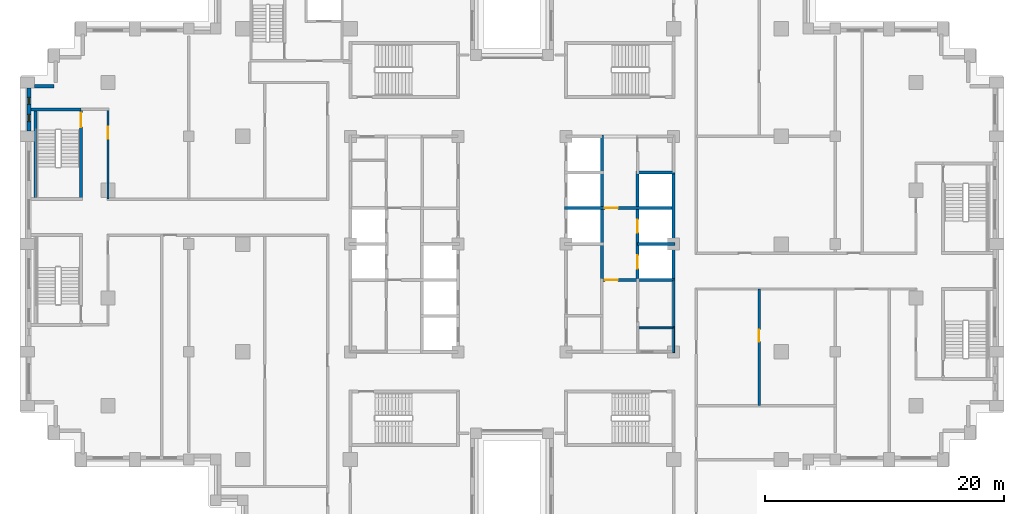
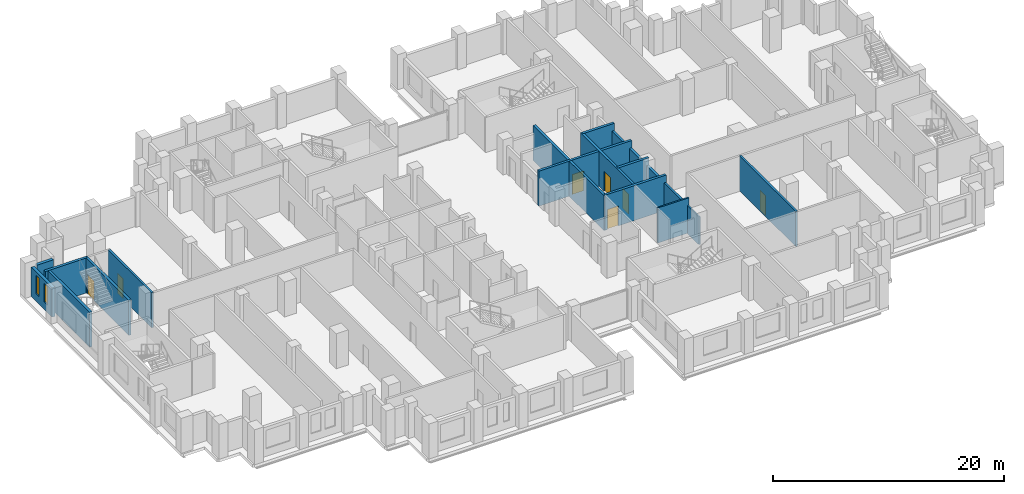
# One storey, part 9 of 16: 17 walls, 7 doors, 2 windows, 9 openings.
"""IFC4 building model written with IfcOpenShell, lengths in metres."""

from ifc_helpers import new_model, si_unit, direction, frame, frame_2d, origin, place, context, subcontext, project, spatial, rectangle, extrude, material, layer, layer_set, type_object, element, fill, save


model = new_model("IFC4")

# Units and contexts
model_context = context("Model", 3, precision=1e-05, world=origin(), true_north=direction((0.0, 1.0)))
body_context = subcontext(model_context, "Body", "Model", "MODEL_VIEW")
ifc_project = project(units=[si_unit("LENGTHUNIT", "METRE"), si_unit("AREAUNIT", "SQUARE_METRE"), si_unit("VOLUMEUNIT", "CUBIC_METRE"), si_unit("PLANEANGLEUNIT", "RADIAN"), si_unit("MASSUNIT", "GRAM", prefix="KILO")], contexts=[model_context])

# Site, building, storey
site_placement = place(None, origin())
site = spatial("IfcSite", under=ifc_project, at=site_placement, CompositionType="ELEMENT")
building_placement = place(site_placement, origin())
building = spatial("IfcBuilding", under=site, at=building_placement, Name="Corbelhall Arena Tower", CompositionType="ELEMENT")
storey_placement = place(building_placement, frame((0.0, 0.0, 104.0)))
storey = spatial("IfcBuildingStorey", under=building, at=storey_placement, Name="L18", CompositionType="ELEMENT", Elevation=104.0)

# Wall
ifc_material_1 = material(Name="Precast concrete C40/50 with granite facing", Category="masonry")
ifc_layer_1 = layer(ifc_material_1, 0.300048828125)
ifc_layer_set_1 = layer_set([ifc_layer_1], Name="EV-IW1 Infill panel 300")
wall_type_1 = type_object("IfcWallType", Name="EV-IW1 Infill panel 300", PredefinedType="SOLIDWALL", material=ifc_layer_set_1)
wall_1_placement = place(storey_placement, frame((-39.89990234375, 13.199951171875, 0.0), z_axis=(0.0, 0.0, 1.0), x_axis=(1.0, 0.0, 0.0)))
element("IfcWall", 1, at=wall_1_placement, inside=storey, type_object=wall_type_1, Name="Infill panel IW1", PredefinedType="SOLIDWALL", context=body_context, shape_type="SweptSolid", body=[
    extrude(rectangle(XDim=1.64990234375, YDim=0.300048828125, at=frame_2d((0.824951171875, 0.0))), origin(), (0.0, 0.0, 1.0), 3.10009765625),
])

# Wall, openings, windows
wall_2_placement = place(storey_placement, frame((-40.35009765625, 13.050048828125, 0.0), z_axis=(0.0, 0.0, 1.0), x_axis=(0.0, -1.0, 0.0)))
wall_2 = element("IfcWall", 2, at=wall_2_placement, inside=storey, type_object=wall_type_1, Name="Infill panel IW1", PredefinedType="SOLIDWALL", context=body_context, shape_type="SweptSolid", body=[
    extrude(rectangle(XDim=3.60009765625, YDim=0.300048828125, at=frame_2d((1.800048828125, 0.0))), origin(), (0.0, 0.0, 1.0), 3.10009765625),
])
opening_1_placement = place(wall_2_placement, frame((0.78759765625, 0.0, 0.800048828125)))
opening_1 = element("IfcOpeningElement", 3, at=opening_1_placement, cuts=wall_2, Name="Opening WN5", PredefinedType="OPENING", context=body_context, shape_type="SweptSolid", body=[
    extrude(rectangle(XDim=0.60009765625, YDim=1.949951171875, at=frame_2d((0.300048828125, 0.97509765625))), frame((0.0, 0.14990234375, 0.0), z_axis=(0.0, -1.0, 0.0), x_axis=(1.0, 0.0, 0.0)), (0.0, 0.0, 1.0), 0.300048828125),
])
opening_2_placement = place(wall_2_placement, frame((2.21240234375, 0.0, 0.800048828125)))
opening_2 = element("IfcOpeningElement", 4, at=opening_2_placement, cuts=wall_2, Name="Opening WN5", PredefinedType="OPENING", context=body_context, shape_type="SweptSolid", body=[
    extrude(rectangle(XDim=0.60009765625, YDim=1.949951171875, at=frame_2d((0.300048828125, 0.97509765625))), frame((0.0, 0.14990234375, 0.0), z_axis=(0.0, -1.0, 0.0), x_axis=(1.0, 0.0, 0.0)), (0.0, 0.0, 1.0), 0.300048828125),
])
ifc_material_2 = material(Name="Aluminium black anodised", Category="aluminium")
window_type = type_object("IfcWindowType", Name="EV-WN5 Office window 600", PartitioningType="SINGLE_PANEL", PredefinedType="WINDOW", material=ifc_material_2)
window_1_placement = place(opening_1_placement, origin())
window_1 = element("IfcWindow", 5, at=window_1_placement, inside=storey, type_object=window_type, Name="Window WN5", OverallHeight=1.949951171875, OverallWidth=0.60009765625, PartitioningType="SINGLE_PANEL", PredefinedType="WINDOW", context=body_context, shape_type="SweptSolid", body=[
    extrude(rectangle(XDim=0.60009765625, YDim=1.949951171875, at=frame_2d((0.300048828125, 0.97509765625))), frame((0.0, 0.030029296875, 0.0), z_axis=(0.0, -1.0, 0.0), x_axis=(1.0, 0.0, 0.0)), (0.0, 0.0, 1.0), 0.06005859375),
])
fill(opening_1, window_1)
window_2_placement = place(opening_2_placement, origin())
window_2 = element("IfcWindow", 6, at=window_2_placement, inside=storey, type_object=window_type, Name="Window WN5", OverallHeight=1.949951171875, OverallWidth=0.60009765625, PartitioningType="SINGLE_PANEL", PredefinedType="WINDOW", context=body_context, shape_type="SweptSolid", body=[
    extrude(rectangle(XDim=0.60009765625, YDim=1.949951171875, at=frame_2d((0.300048828125, 0.97509765625))), frame((0.0, 0.030029296875, 0.0), z_axis=(0.0, -1.0, 0.0), x_axis=(1.0, 0.0, 0.0)), (0.0, 0.0, 1.0), 0.06005859375),
])
fill(opening_2, window_2)

# Wall, opening, door
ifc_material_3 = material(Name="Gypsum board on steel stud, acoustic", Category="steel")
ifc_layer_2 = layer(ifc_material_3, 0.199951171875)
ifc_layer_set_2 = layer_set([ifc_layer_2], Name="IN-W-DM200")
wall_type_2 = type_object("IfcWallType", Name="IN-W-DM200", PredefinedType="PARTITIONING", material=ifc_layer_set_2)
wall_3_placement = place(storey_placement, frame((-33.75, 11.25, 0.0), z_axis=(0.0, 0.0, 1.0), x_axis=(0.0, -1.0, 0.0)))
wall_3 = element("IfcWall", 7, at=wall_3_placement, inside=storey, type_object=wall_type_2, Name="Partition 005", PredefinedType="PARTITIONING", context=body_context, shape_type="SweptSolid", body=[
    extrude(rectangle(XDim=7.5, YDim=0.199951171875, at=frame_2d((3.75, 0.0))), origin(), (0.0, 0.0, 1.0), 3.699951171875),
])
opening_3_placement = place(wall_3_placement, frame((1.449951171875, 0.0, 0.0)))
opening_3 = element("IfcOpeningElement", 8, at=opening_3_placement, cuts=wall_3, Name="Opening 04039", PredefinedType="OPENING", context=body_context, shape_type="SweptSolid", body=[
    extrude(rectangle(XDim=1.0, YDim=2.10009765625, at=frame_2d((0.5, 1.050048828125))), frame((0.0, 0.10009765625, 0.0), z_axis=(0.0, -1.0, 0.0), x_axis=(1.0, 0.0, 0.0)), (0.0, 0.0, 1.0), 0.199951171875),
])
ifc_material_4 = material(Name="Steel door set", Category="steel")
door_type_1 = type_object("IfcDoorType", Name="IN-D-SW100", OperationType="NOTDEFINED", PredefinedType="DOOR", material=ifc_material_4)
door_1_placement = place(opening_3_placement, origin())
door_1 = element("IfcDoor", 9, at=door_1_placement, inside=storey, type_object=door_type_1, Name="Door 039", OperationType="SINGLE_SWING_RIGHT", OverallHeight=2.10009765625, OverallWidth=1.0, PredefinedType="DOOR", context=body_context, shape_type="SweptSolid", body=[
    extrude(rectangle(XDim=1.0, YDim=2.10009765625, at=frame_2d((0.5, 1.050048828125))), frame((0.0, 0.02490234375, 0.0), z_axis=(0.0, -1.0, 0.0), x_axis=(1.0, 0.0, 0.0)), (0.0, 0.0, 1.0), 0.050048828125),
])
fill(opening_3, door_1)

wall_4_placement = place(storey_placement, frame((20.64990234375, -3.75, 0.0), z_axis=(0.0, 0.0, 1.0), x_axis=(0.0, -1.0, 0.0)))
wall_4 = element("IfcWall", 10, at=wall_4_placement, inside=storey, type_object=wall_type_2, Name="Partition 033", PredefinedType="PARTITIONING", context=body_context, shape_type="SweptSolid", body=[
    extrude(rectangle(XDim=9.75, YDim=0.199951171875, at=frame_2d((4.875, 0.0))), origin(), (0.0, 0.0, 1.0), 3.699951171875),
])
opening_4_placement = place(wall_4_placement, frame((3.39990234375, 0.0, 0.0)))
opening_4 = element("IfcOpeningElement", 11, at=opening_4_placement, cuts=wall_4, Name="Opening 04038", PredefinedType="OPENING", context=body_context, shape_type="SweptSolid", body=[
    extrude(rectangle(XDim=1.0, YDim=2.10009765625, at=frame_2d((0.5, 1.050048828125))), frame((0.0, 0.10009765625, 0.0), z_axis=(0.0, -1.0, 0.0), x_axis=(1.0, 0.0, 0.0)), (0.0, 0.0, 1.0), 0.199951171875),
])
door_2_placement = place(opening_4_placement, origin())
door_2 = element("IfcDoor", 12, at=door_2_placement, inside=storey, type_object=door_type_1, Name="Door 038", OperationType="SINGLE_SWING_LEFT", OverallHeight=2.10009765625, OverallWidth=1.0, PredefinedType="DOOR", context=body_context, shape_type="SweptSolid", body=[
    extrude(rectangle(XDim=1.0, YDim=2.10009765625, at=frame_2d((0.5, 1.050048828125))), frame((0.0, 0.02490234375, 0.0), z_axis=(0.0, -1.0, 0.0), x_axis=(1.0, 0.0, 0.0)), (0.0, 0.0, 1.0), 0.050048828125),
])
fill(opening_4, door_2)

# Wall
ifc_material_5 = material(Name="Concrete block wall", Category="concrete")
ifc_layer_3 = layer(ifc_material_5, 0.199951171875)
ifc_layer_set_3 = layer_set([ifc_layer_3], Name="IN-W-RS200 under beam 762 mm")
wall_type_3 = type_object("IfcWallType", Name="IN-W-RS200 under beam 762 mm", PredefinedType="SOLIDWALL", material=ifc_layer_set_3)
wall_5_placement = place(storey_placement, frame((13.5, -3.0, 0.0), z_axis=(0.0, 0.0, 1.0), x_axis=(0.0, -1.0, 0.0)))
element("IfcWall", 13, at=wall_5_placement, inside=storey, type_object=wall_type_3, Name="Partition 058", PredefinedType="SOLIDWALL", context=body_context, shape_type="SweptSolid", body=[
    extrude(rectangle(XDim=4.0, YDim=0.199951171875, at=frame_2d((2.0, 0.0))), origin(), (0.0, 0.0, 1.0), 2.93798828125),
])

# Wall, opening, door
ifc_material_6 = material(Name="Concrete C40/50", Category="concrete")
ifc_layer_4 = layer(ifc_material_6, 0.25)
ifc_layer_set_4 = layer_set([ifc_layer_4], Name="IN-W-SH250")
wall_type_4 = type_object("IfcWallType", Name="IN-W-SH250", PredefinedType="SOLIDWALL", material=ifc_layer_set_4)
wall_6_placement = place(storey_placement, frame((4.375, 3.0, 0.0), z_axis=(0.0, 0.0, 1.0), x_axis=(1.0, 0.0, 0.0)))
wall_6 = element("IfcWall", 14, at=wall_6_placement, inside=storey, type_object=wall_type_4, Name="Shaft wall 071", PredefinedType="SOLIDWALL", context=body_context, shape_type="SweptSolid", body=[
    extrude(rectangle(XDim=9.25, YDim=0.25, at=frame_2d((4.625, 0.0))), origin(), (0.0, 0.0, 1.0), 3.699951171875),
])
opening_5_placement = place(wall_6_placement, frame((3.375, 0.0, 0.0)))
opening_5 = element("IfcOpeningElement", 15, at=opening_5_placement, cuts=wall_6, Name="Opening 04011", PredefinedType="OPENING", context=body_context, shape_type="SweptSolid", body=[
    extrude(rectangle(XDim=1.10009765625, YDim=2.10009765625, at=frame_2d((0.550048828125, 1.050048828125))), frame((0.0, 0.125, 0.0), z_axis=(0.0, -1.0, 0.0), x_axis=(1.0, 0.0, 0.0)), (0.0, 0.0, 1.0), 0.25),
])
door_type_2 = type_object("IfcDoorType", Name="IN-D-FD110", OperationType="NOTDEFINED", PredefinedType="DOOR", material=ifc_material_4)
door_3_placement = place(opening_5_placement, origin())
door_3 = element("IfcDoor", 16, at=door_3_placement, inside=storey, type_object=door_type_2, Name="Door 011", OperationType="SINGLE_SWING_RIGHT", OverallHeight=2.10009765625, OverallWidth=1.10009765625, PredefinedType="DOOR", context=body_context, shape_type="SweptSolid", body=[
    extrude(rectangle(XDim=1.10009765625, YDim=2.10009765625, at=frame_2d((0.550048828125, 1.050048828125))), frame((0.0, 0.02490234375, 0.0), z_axis=(0.0, -1.0, 0.0), x_axis=(1.0, 0.0, 0.0)), (0.0, 0.0, 1.0), 0.050048828125),
])
fill(opening_5, door_3)

wall_7_placement = place(storey_placement, frame((7.5, -3.0, 0.0), z_axis=(0.0, 0.0, 1.0), x_axis=(1.0, 0.0, 0.0)))
wall_7 = element("IfcWall", 17, at=wall_7_placement, inside=storey, type_object=wall_type_4, Name="Shaft wall 075", PredefinedType="SOLIDWALL", context=body_context, shape_type="SweptSolid", body=[
    extrude(rectangle(XDim=6.125, YDim=0.25, at=frame_2d((3.0625, 0.0))), origin(), (0.0, 0.0, 1.0), 3.699951171875),
])
opening_6_placement = place(wall_7_placement, frame((0.25, 0.0, 0.0)))
opening_6 = element("IfcOpeningElement", 18, at=opening_6_placement, cuts=wall_7, Name="Opening 04010", PredefinedType="OPENING", context=body_context, shape_type="SweptSolid", body=[
    extrude(rectangle(XDim=1.10009765625, YDim=2.10009765625, at=frame_2d((0.550048828125, 1.050048828125))), frame((0.0, 0.125, 0.0), z_axis=(0.0, -1.0, 0.0), x_axis=(1.0, 0.0, 0.0)), (0.0, 0.0, 1.0), 0.25),
])
door_4_placement = place(opening_6_placement, origin())
door_4 = element("IfcDoor", 19, at=door_4_placement, inside=storey, type_object=door_type_2, Name="Door 010", OperationType="SINGLE_SWING_LEFT", OverallHeight=2.10009765625, OverallWidth=1.10009765625, PredefinedType="DOOR", context=body_context, shape_type="SweptSolid", body=[
    extrude(rectangle(XDim=1.10009765625, YDim=2.10009765625, at=frame_2d((0.550048828125, 1.050048828125))), frame((0.0, 0.02490234375, 0.0), z_axis=(0.0, -1.0, 0.0), x_axis=(1.0, 0.0, 0.0)), (0.0, 0.0, 1.0), 0.050048828125),
])
fill(opening_6, door_4)

# Walls
wall_8_placement = place(storey_placement, frame((7.5, 9.125, 0.0), z_axis=(0.0, 0.0, 1.0), x_axis=(0.0, -1.0, 0.0)))
element("IfcWall", 20, at=wall_8_placement, inside=storey, type_object=wall_type_4, Name="Shaft wall 076", PredefinedType="SOLIDWALL", context=body_context, shape_type="SweptSolid", body=[
    extrude(rectangle(XDim=12.25, YDim=0.25, at=frame_2d((6.125, 0.0))), origin(), (0.0, 0.0, 1.0), 3.699951171875),
])
wall_9_placement = place(storey_placement, frame((10.5, 0.0, 0.0), z_axis=(0.0, 0.0, 1.0), x_axis=(1.0, 0.0, 0.0)))
element("IfcWall", 21, at=wall_9_placement, inside=storey, type_object=wall_type_4, Name="Shaft wall 077", PredefinedType="SOLIDWALL", context=body_context, shape_type="SweptSolid", body=[
    extrude(rectangle(XDim=3.125, YDim=0.25, at=frame_2d((1.5625, 0.0))), origin(), (0.0, 0.0, 1.0), 3.699951171875),
])

# Wall, openings, doors
wall_10_placement = place(storey_placement, frame((10.5, 6.125, 0.0), z_axis=(0.0, 0.0, 1.0), x_axis=(0.0, -1.0, 0.0)))
wall_10 = element("IfcWall", 22, at=wall_10_placement, inside=storey, type_object=wall_type_4, Name="Shaft wall 078", PredefinedType="SOLIDWALL", context=body_context, shape_type="SweptSolid", body=[
    extrude(rectangle(XDim=9.25, YDim=0.25, at=frame_2d((4.625, 0.0))), origin(), (0.0, 0.0, 1.0), 3.699951171875),
])
opening_7_placement = place(wall_10_placement, frame((7.074951171875, 0.0, 0.0)))
opening_7 = element("IfcOpeningElement", 23, at=opening_7_placement, cuts=wall_10, Name="Opening LD", PredefinedType="OPENING", context=body_context, shape_type="SweptSolid", body=[
    extrude(rectangle(XDim=1.10009765625, YDim=2.10009765625, at=frame_2d((0.550048828125, 1.050048828125))), frame((0.0, 0.125, 0.0), z_axis=(0.0, -1.0, 0.0), x_axis=(1.0, 0.0, 0.0)), (0.0, 0.0, 1.0), 0.25),
])
opening_8_placement = place(wall_10_placement, frame((4.074951171875, 0.0, 0.0)))
opening_8 = element("IfcOpeningElement", 24, at=opening_8_placement, cuts=wall_10, Name="Opening LD", PredefinedType="OPENING", context=body_context, shape_type="SweptSolid", body=[
    extrude(rectangle(XDim=1.10009765625, YDim=2.10009765625, at=frame_2d((0.550048828125, 1.050048828125))), frame((0.0, 0.125, 0.0), z_axis=(0.0, -1.0, 0.0), x_axis=(1.0, 0.0, 0.0)), (0.0, 0.0, 1.0), 0.25),
])
door_type_3 = type_object("IfcDoorType", Name="IN-D-LD110", OperationType="NOTDEFINED", PredefinedType="DOOR", material=ifc_material_4)
door_5_placement = place(opening_7_placement, origin())
door_5 = element("IfcDoor", 25, at=door_5_placement, inside=storey, type_object=door_type_3, Name="Landing door E3", OperationType="SLIDING_TO_LEFT", OverallHeight=2.10009765625, OverallWidth=1.10009765625, PredefinedType="DOOR", context=body_context, shape_type="SweptSolid", body=[
    extrude(rectangle(XDim=1.10009765625, YDim=2.10009765625, at=frame_2d((0.550048828125, 1.050048828125))), frame((0.0, 0.02490234375, 0.0), z_axis=(0.0, -1.0, 0.0), x_axis=(1.0, 0.0, 0.0)), (0.0, 0.0, 1.0), 0.050048828125),
])
fill(opening_7, door_5)
door_6_placement = place(opening_8_placement, origin())
door_6 = element("IfcDoor", 26, at=door_6_placement, inside=storey, type_object=door_type_3, Name="Landing door E4", OperationType="SLIDING_TO_LEFT", OverallHeight=2.10009765625, OverallWidth=1.10009765625, PredefinedType="DOOR", context=body_context, shape_type="SweptSolid", body=[
    extrude(rectangle(XDim=1.10009765625, YDim=2.10009765625, at=frame_2d((0.550048828125, 1.050048828125))), frame((0.0, 0.02490234375, 0.0), z_axis=(0.0, -1.0, 0.0), x_axis=(1.0, 0.0, 0.0)), (0.0, 0.0, 1.0), 0.050048828125),
])
fill(opening_8, door_6)

# Walls
wall_11_placement = place(storey_placement, frame((10.5, 6.0, 0.0), z_axis=(0.0, 0.0, 1.0), x_axis=(1.0, 0.0, 0.0)))
element("IfcWall", 27, at=wall_11_placement, inside=storey, type_object=wall_type_4, Name="Shaft wall 079", PredefinedType="SOLIDWALL", context=body_context, shape_type="SweptSolid", body=[
    extrude(rectangle(XDim=3.125, YDim=0.25, at=frame_2d((1.5625, 0.0))), origin(), (0.0, 0.0, 1.0), 3.699951171875),
])
ifc_layer_5 = layer(ifc_material_6, 0.25)
ifc_layer_set_5 = layer_set([ifc_layer_5], Name="IN-W-SH250 under beam 762 mm")
wall_type_5 = type_object("IfcWallType", Name="IN-W-SH250 under beam 762 mm", PredefinedType="SOLIDWALL", material=ifc_layer_set_5)
wall_12_placement = place(storey_placement, frame((13.5, 6.0, 0.0), z_axis=(0.0, 0.0, 1.0), x_axis=(0.0, -1.0, 0.0)))
element("IfcWall", 28, at=wall_12_placement, inside=storey, type_object=wall_type_5, Name="Shaft wall 080", PredefinedType="SOLIDWALL", context=body_context, shape_type="SweptSolid", body=[
    extrude(rectangle(XDim=9.0, YDim=0.25, at=frame_2d((4.5, 0.0))), origin(), (0.0, 0.0, 1.0), 2.93798828125),
])
ifc_layer_6 = layer(ifc_material_6, 0.25)
ifc_layer_set_6 = layer_set([ifc_layer_6], Name="IN-W-ST250")
wall_type_6 = type_object("IfcWallType", Name="IN-W-ST250", PredefinedType="SOLIDWALL", material=ifc_layer_set_6)
wall_13_placement = place(storey_placement, frame((-40.199951171875, 11.25, 0.0), z_axis=(0.0, 0.0, 1.0), x_axis=(1.0, 0.0, 0.0)))
element("IfcWall", 29, at=wall_13_placement, inside=storey, type_object=wall_type_6, Name="Shaft wall 082", PredefinedType="SOLIDWALL", context=body_context, shape_type="SweptSolid", body=[
    extrude(rectangle(XDim=4.199951171875, YDim=0.25, at=frame_2d((2.10009765625, 0.0))), origin(), (0.0, 0.0, 1.0), 3.699951171875),
])

# Wall, opening, door
wall_14_placement = place(storey_placement, frame((-36.0, 11.375, 0.0), z_axis=(0.0, 0.0, 1.0), x_axis=(0.0, -1.0, 0.0)))
wall_14 = element("IfcWall", 30, at=wall_14_placement, inside=storey, type_object=wall_type_6, Name="Shaft wall 085", PredefinedType="SOLIDWALL", context=body_context, shape_type="SweptSolid", body=[
    extrude(rectangle(XDim=7.625, YDim=0.25, at=frame_2d((3.8125, 0.0))), origin(), (0.0, 0.0, 1.0), 3.699951171875),
])
opening_9_placement = place(wall_14_placement, frame((0.39990234375, 0.0, 0.0)))
opening_9 = element("IfcOpeningElement", 31, at=opening_9_placement, cuts=wall_14, Name="Opening 04019", PredefinedType="OPENING", context=body_context, shape_type="SweptSolid", body=[
    extrude(rectangle(XDim=1.199951171875, YDim=2.10009765625, at=frame_2d((0.60009765625, 1.050048828125))), frame((0.0, 0.125, 0.0), z_axis=(0.0, -1.0, 0.0), x_axis=(1.0, 0.0, 0.0)), (0.0, 0.0, 1.0), 0.25),
])
door_type_4 = type_object("IfcDoorType", Name="IN-D-ST120", OperationType="NOTDEFINED", PredefinedType="DOOR", material=ifc_material_4)
door_7_placement = place(opening_9_placement, origin())
door_7 = element("IfcDoor", 32, at=door_7_placement, inside=storey, type_object=door_type_4, Name="Door 019", OperationType="SINGLE_SWING_RIGHT", OverallHeight=2.10009765625, OverallWidth=1.199951171875, PredefinedType="DOOR", context=body_context, shape_type="SweptSolid", body=[
    extrude(rectangle(XDim=1.199951171875, YDim=2.10009765625, at=frame_2d((0.60009765625, 1.050048828125))), frame((0.0, 0.02490234375, 0.0), z_axis=(0.0, -1.0, 0.0), x_axis=(1.0, 0.0, 0.0)), (0.0, 0.0, 1.0), 0.050048828125),
])
fill(opening_9, door_7)

# Walls
wall_15_placement = place(storey_placement, frame((-39.824951171875, 3.875, 0.0), z_axis=(0.0, 0.0, 1.0), x_axis=(0.0, 1.0, 0.0)))
element("IfcWall", 33, at=wall_15_placement, inside=storey, type_object=wall_type_6, Name="Shaft wall SC1 facade side", PredefinedType="SOLIDWALL", context=body_context, shape_type="SweptSolid", body=[
    extrude(rectangle(XDim=7.25, YDim=0.25, at=frame_2d((3.625, 0.0))), origin(), (0.0, 0.0, 1.0), 3.699951171875),
])
ifc_material_7 = material(Name="Gypsum board on steel stud, moisture resistant", Category="steel")
ifc_layer_7 = layer(ifc_material_7, 0.14990234375)
ifc_layer_set_7 = layer_set([ifc_layer_7], Name="IN-W-WC150")
wall_type_7 = type_object("IfcWallType", Name="IN-W-WC150", PredefinedType="PARTITIONING", material=ifc_layer_set_7)
wall_16_placement = place(storey_placement, frame((10.5, -7.0, 0.0), z_axis=(0.0, 0.0, 1.0), x_axis=(1.0, 0.0, 0.0)))
element("IfcWall", 34, at=wall_16_placement, inside=storey, type_object=wall_type_7, Name="Partition 115", PredefinedType="PARTITIONING", context=body_context, shape_type="SweptSolid", body=[
    extrude(rectangle(XDim=3.10009765625, YDim=0.14990234375, at=frame_2d((1.550048828125, 0.0))), origin(), (0.0, 0.0, 1.0), 3.699951171875),
])
ifc_layer_8 = layer(ifc_material_7, 0.14990234375)
ifc_layer_set_8 = layer_set([ifc_layer_8], Name="IN-W-WC150 under beam 762 mm")
wall_type_8 = type_object("IfcWallType", Name="IN-W-WC150 under beam 762 mm", PredefinedType="PARTITIONING", material=ifc_layer_set_8)
wall_17_placement = place(storey_placement, frame((13.5, -7.0, 0.0), z_axis=(0.0, 0.0, 1.0), x_axis=(0.0, -1.0, 0.0)))
element("IfcWall", 35, at=wall_17_placement, inside=storey, type_object=wall_type_8, Name="Partition 118", PredefinedType="PARTITIONING", context=body_context, shape_type="SweptSolid", body=[
    extrude(rectangle(XDim=2.074951171875, YDim=0.14990234375, at=frame_2d((1.03759765625, 0.0))), origin(), (0.0, 0.0, 1.0), 2.93798828125),
])

save(model, "model.ifc")
